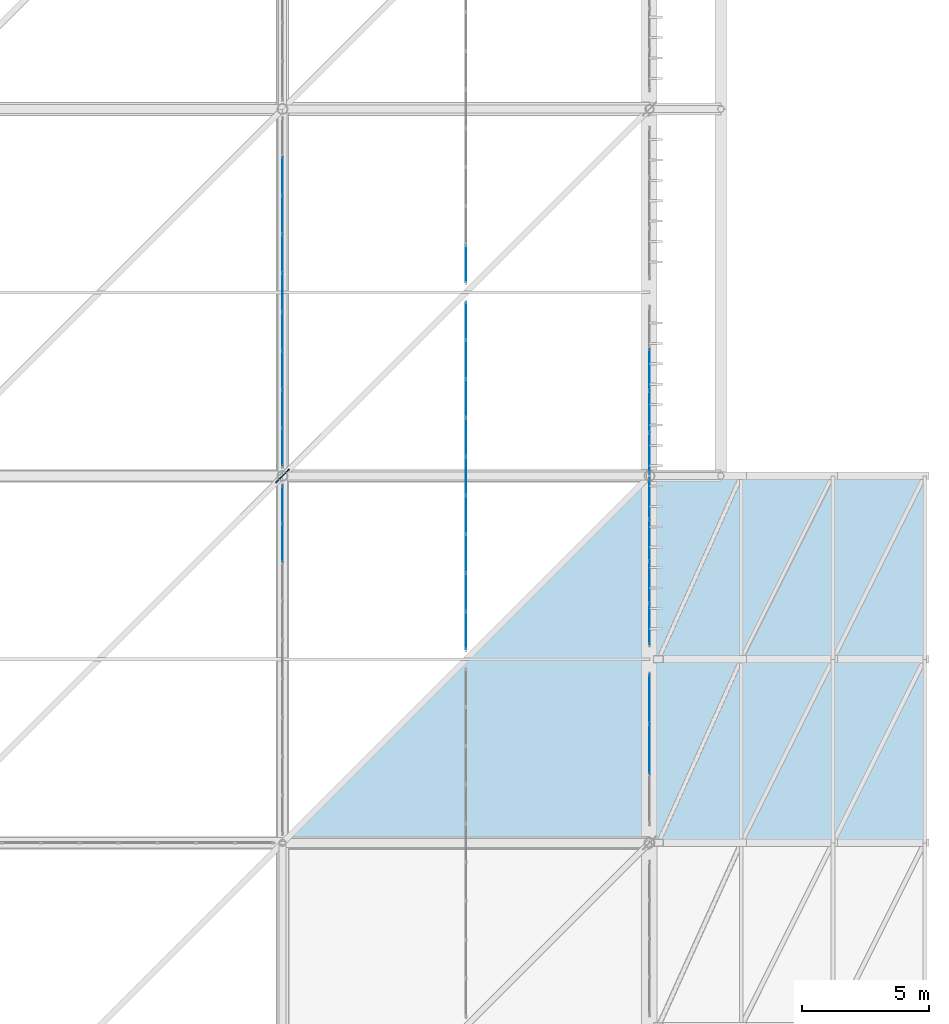
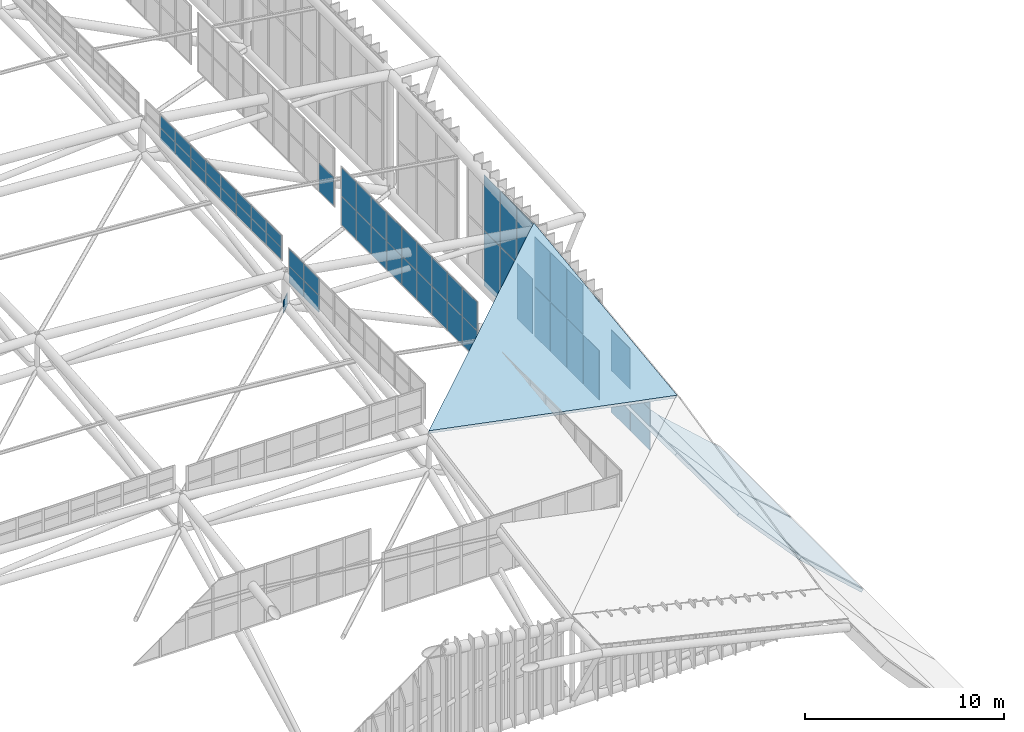
# One storey, part 369 of 397: 58 plates, 7 slabs, 7 elements without a shape of their own.
"""IFC4 building model written with IfcOpenShell, lengths in metres."""

import ifcopenshell
import ifcopenshell.guid

model = None  # the IFC model being written
_history = None  # IfcOwnerHistory: only IFC2X3 demands one
_inside = {}  # id of a spatial element -> (the spatial element, [elements in it])
_under = {}  # id of a project, library or spatial element -> (it, [spatial elements below it])
_declared = {}  # id of a project -> (the project, [libraries it declares])
_typed = {}  # id of a type object -> (the type object, [elements of that type])
_made_of = {}  # id of a material, layer set ... -> (it, [elements and type objects made of it])


def new_model(schema):
    """Start an empty IFC model of exactly this schema.

    Asked for "IFC4X3", IfcOpenShell would pick the latest addendum, in which some entities
    have other attributes; the version numbers below select the first issue.
    IFC2X3 requires an IfcOwnerHistory on every rooted entity: one is made here for all.
    """
    global model, _history
    if schema == "IFC4X3":
        model = ifcopenshell.file(schema_version=(4, 3, 0, 0))
    else:
        model = ifcopenshell.file(schema=schema)
    _inside.clear()
    _under.clear()
    _declared.clear()
    _typed.clear()
    _made_of.clear()
    _history = None
    if model.schema == "IFC2X3":
        org = make("IfcOrganization", Name="unknown")
        user = make(
            "IfcPersonAndOrganization",
            ThePerson=make("IfcPerson", FamilyName="unknown"),
            TheOrganization=org,
        )
        app = make(
            "IfcApplication",
            ApplicationDeveloper=org,
            Version="unknown",
            ApplicationFullName="unknown",
            ApplicationIdentifier="unknown",
        )
        _history = make(
            "IfcOwnerHistory",
            OwningUser=user,
            OwningApplication=app,
            ChangeAction="ADDED",
            CreationDate=0,
        )
    return model


def make(cls, **values):
    """One entity of the class cls with the attributes given. An attribute that is None is left unset."""
    return model.create_entity(
        cls, **{name: value for name, value in values.items() if value is not None}
    )


def rooted(cls, **values):
    """An entity with a GlobalId (a new one), such as an element, a storey or a relation."""
    return make(cls, GlobalId=ifcopenshell.guid.new(), OwnerHistory=_history, **values)


def si_unit(unit_type, name, prefix=None):
    """IfcSIUnit, for example si_unit("LENGTHUNIT", "METRE", prefix="MILLI")."""
    return make("IfcSIUnit", UnitType=unit_type, Prefix=prefix, Name=name)


def assignment(units):
    """IfcUnitAssignment: the units of a project."""
    return None if units is None else make("IfcUnitAssignment", Units=units)


def point(xyz):
    """IfcCartesianPoint."""
    return None if xyz is None else make("IfcCartesianPoint", Coordinates=xyz)


def direction(xyz):
    """IfcDirection."""
    return None if xyz is None else make("IfcDirection", DirectionRatios=xyz)


def frame(location, z_axis=None, x_axis=None):
    """IfcAxis2Placement3D, a coordinate frame: its origin and axes. An axis left out is left unset."""
    return make(
        "IfcAxis2Placement3D",
        Location=point(location),
        Axis=direction(z_axis),
        RefDirection=direction(x_axis),
    )


def frame_2d(location, x_axis=None):
    """IfcAxis2Placement2D, a coordinate frame in the plane: its origin and x axis."""
    return make(
        "IfcAxis2Placement2D", Location=point(location), RefDirection=direction(x_axis)
    )


def origin():
    """The frame at (0, 0, 0) with its axes left unset."""
    return frame((0.0, 0.0, 0.0))


def origin_2d():
    """The frame at (0, 0) in the plane with its x axis left unset."""
    return frame_2d((0.0, 0.0))


def place(relative_to, where):
    """IfcLocalPlacement: puts the frame where relative to a parent placement (None: the world)."""
    return make(
        "IfcLocalPlacement", PlacementRelTo=relative_to, RelativePlacement=where
    )


def context(
    kind, dimensions, precision=None, world=None, true_north=None, identifier=None
):
    """IfcGeometricRepresentationContext, for example the 3D "Model" context."""
    return make(
        "IfcGeometricRepresentationContext",
        ContextIdentifier=identifier,
        ContextType=kind,
        CoordinateSpaceDimension=dimensions,
        Precision=precision,
        WorldCoordinateSystem=world,
        TrueNorth=true_north,
    )


def subcontext(parent, identifier, kind, view, scale=None):
    """IfcGeometricRepresentationSubContext, for example "Body" below "Model"."""
    return make(
        "IfcGeometricRepresentationSubContext",
        ContextIdentifier=identifier,
        ContextType=kind,
        ParentContext=parent,
        TargetScale=scale,
        TargetView=view,
    )


def project(units=None, contexts=None):
    """IfcProject with its units and contexts."""
    return rooted(
        "IfcProject",
        Name="project",
        RepresentationContexts=contexts,
        UnitsInContext=assignment(units),
    )


def spatial(cls, under=None, at=None, **own):
    """A site, building, storey or space (cls), placed at a placement, below another one or the project."""
    s = rooted(cls, ObjectPlacement=at, **own)
    if under is not None:
        _under.setdefault(under.id(), (under, []))[1].append(s)
    return s


def polyline(points):
    """IfcPolyline through the points."""
    return make("IfcPolyline", Points=[point(p) for p in points])


def profile(cls, at=None, kind="AREA", **sizes):
    """A parametric profile (cls). Its sizes go by their IFC names, for example OverallWidth=200.0."""
    return make(cls, ProfileType=kind, Position=at, **sizes)


def rectangle(**sizes):
    """IfcRectangleProfileDef."""
    return profile("IfcRectangleProfileDef", **sizes)


def outline(outer, holes=None, kind="AREA"):
    """IfcArbitraryClosedProfileDef: a profile drawn as a closed curve; with holes, ...WithVoids."""
    if holes is None:
        return make("IfcArbitraryClosedProfileDef", ProfileType=kind, OuterCurve=outer)
    return make(
        "IfcArbitraryProfileDefWithVoids",
        ProfileType=kind,
        OuterCurve=outer,
        InnerCurves=holes,
    )


def extrude(swept, where, along, depth):
    """IfcExtrudedAreaSolid: the profile swept, set in the frame where, extruded along a direction by depth."""
    return make(
        "IfcExtrudedAreaSolid",
        SweptArea=swept,
        Position=where,
        ExtrudedDirection=direction(along),
        Depth=depth,
    )


def shape(context_of_items, identifier, shape_type, items):
    """IfcShapeRepresentation: the items that make up one representation, for example the "Body"."""
    return make(
        "IfcShapeRepresentation",
        ContextOfItems=context_of_items,
        RepresentationIdentifier=identifier,
        RepresentationType=shape_type,
        Items=items,
    )


def material(Name=None, Category=None):
    """IfcMaterial."""
    return make("IfcMaterial", Name=Name, Category=Category)


def layer(
    of_material, thickness, ventilated=None, Name=None, Category=None, Priority=None
):
    """IfcMaterialLayer: one layer of a wall or slab, of a material (None: an air gap)."""
    return make(
        "IfcMaterialLayer",
        Material=of_material,
        LayerThickness=thickness,
        IsVentilated=ventilated,
        Name=Name,
        Category=Category,
        Priority=Priority,
    )


def layer_set(layers, Name=None):
    """IfcMaterialLayerSet."""
    return make("IfcMaterialLayerSet", MaterialLayers=layers, LayerSetName=Name)


def made_of(thing, what):
    """Note that an element or type object is made of a material, layer set ...; save() writes the relation."""
    if what is not None:
        _made_of.setdefault(what.id(), (what, []))[1].append(thing)
    return thing


def type_object(cls, material=None, **own):
    """A type object (cls), such as IfcWallType, which elements share."""
    return made_of(rooted(cls, **own), material)


def element(
    cls,
    number,
    at=None,
    inside=None,
    cuts=None,
    type_object=None,
    material=None,
    context=None,
    identifier="Body",
    shape_type=None,
    held_by="IfcProductDefinitionShape",
    body=None,
    shapes=None,
    **own,
):
    """One element of the class cls, such as IfcWall. Its Tag is "e" and its number.

    at: its placement. inside: the storey or other place that contains it. cuts: it is an
    opening in that element (IfcRelVoidsElement). A single representation is given by context,
    identifier, shape_type and body (its items); several are given by shapes. held_by: the class
    of the entity that holds the representations. save() writes the other relations.
    """
    e = rooted(cls, Tag="e%d" % number, ObjectPlacement=at, **own)
    if body is not None:
        shapes = [shape(context, identifier, shape_type, body)]
    if shapes is not None:
        e.Representation = make(held_by, Representations=shapes)
    if inside is not None:
        _inside.setdefault(inside.id(), (inside, []))[1].append(e)
    if cuts is not None:
        rooted(
            "IfcRelVoidsElement", RelatingBuildingElement=cuts, RelatedOpeningElement=e
        )
    if type_object is not None:
        _typed.setdefault(type_object.id(), (type_object, []))[1].append(e)
    return made_of(e, material)


def aggregate(whole, parts):
    """IfcRelAggregates: a whole, such as a stair, and the parts it consists of."""
    return rooted("IfcRelAggregates", RelatingObject=whole, RelatedObjects=parts)


def save(model, path):
    """Write the relations noted so far, then the file.

    IfcRelAggregates (storeys below a building ...), IfcRelContainedInSpatialStructure (elements
    in a storey), IfcRelDefinesByType, IfcRelAssociatesMaterial and IfcRelDeclares: one each for
    every whole, place, type object, material and project.
    """
    for whole, parts in _under.values():
        aggregate(whole, parts)
    for where, things in _inside.values():
        rooted(
            "IfcRelContainedInSpatialStructure",
            RelatedElements=things,
            RelatingStructure=where,
        )
    for kind, things in _typed.values():
        rooted("IfcRelDefinesByType", RelatedObjects=things, RelatingType=kind)
    for what, things in _made_of.values():
        rooted("IfcRelAssociatesMaterial", RelatedObjects=things, RelatingMaterial=what)
    for by, libraries in _declared.values():
        rooted("IfcRelDeclares", RelatingContext=by, RelatedDefinitions=libraries)
    model.write(path)


model = new_model("IFC4")

# Units and contexts
model_context = context("Model", 3, precision=1e-05, world=origin(), true_north=direction((0.0, 1.0)))
body_context = subcontext(model_context, "Body", "Model", "MODEL_VIEW")
ifc_project = project(units=[si_unit("LENGTHUNIT", "METRE"), si_unit("AREAUNIT", "SQUARE_METRE"), si_unit("VOLUMEUNIT", "CUBIC_METRE"), si_unit("PLANEANGLEUNIT", "RADIAN"), si_unit("MASSUNIT", "GRAM", prefix="KILO")], contexts=[model_context])

# Site, building, storey
site_placement = place(None, origin())
site = spatial("IfcSite", under=ifc_project, at=site_placement, CompositionType="ELEMENT")
building_placement = place(site_placement, origin())
building = spatial("IfcBuilding", under=site, at=building_placement, Name="Qandorah Velis Arena", CompositionType="ELEMENT")
storey_placement = place(building_placement, frame((0.0, 0.0, 27.5)))
storey = spatial("IfcBuildingStorey", under=building, at=storey_placement, Name="RF", CompositionType="ELEMENT", Elevation=27.5)

# Curtain wall, plates
ifc_material_1 = material(Name="Solar-control low-E double glazing", Category="glass")
curtain_wall_type_1 = type_object("IfcCurtainWallType", Name="ARC-CW-SYS14", PredefinedType="USERDEFINED", material=ifc_material_1)
curtain_wall_1_placement = place(storey_placement, origin())
curtain_wall_1 = element("IfcCurtainWall", 1, at=curtain_wall_1_placement, inside=storey, type_object=curtain_wall_type_1, Name="Unitised curtain wall MON-2-2", ObjectType="UNITISED CURTAIN WALL", PredefinedType="USERDEFINED")
ifc_layer_1 = layer(ifc_material_1, 0.030029296875)
ifc_layer_set_1 = layer_set([ifc_layer_1], Name="Solar-control low-E double glazing")
plate_type_1 = type_object("IfcPlateType", Name="ARC-CWP-GLZ30", PredefinedType="CURTAIN_PANEL", material=ifc_layer_set_1)
plate_1_placement = place(storey_placement, frame((108.0, 37.124755859375, 5.1943359375), z_axis=(0.0, 0.0, 1.0), x_axis=(0.0, 1.0, 0.0)))
plate_1 = element("IfcPlate", 2, at=plate_1_placement, type_object=plate_type_1, Name="CW14 panel 1.1", PredefinedType="CURTAIN_PANEL", context=body_context, shape_type="SweptSolid", body=[
    extrude(rectangle(XDim=1.459716796875, YDim=0.030029296875, at=origin_2d()), origin(), (0.0, 0.0, 1.0), 1.737548828125),
])
plate_2_placement = place(storey_placement, frame((108.0, 37.124755859375, 6.966796875), z_axis=(0.0, 0.0, 1.0), x_axis=(0.0, 1.0, 0.0)))
plate_2 = element("IfcPlate", 3, at=plate_2_placement, type_object=plate_type_1, Name="CW14 panel 1.2", PredefinedType="CURTAIN_PANEL", context=body_context, shape_type="SweptSolid", body=[
    extrude(rectangle(XDim=1.459716796875, YDim=0.030029296875, at=origin_2d()), origin(), (0.0, 0.0, 1.0), 1.737548828125),
])
plate_3_placement = place(storey_placement, frame((108.0, 38.63330078125, 5.1943359375), z_axis=(0.0, 0.0, 1.0), x_axis=(0.0, 1.0, 0.0)))
plate_3 = element("IfcPlate", 4, at=plate_3_placement, type_object=plate_type_1, Name="CW14 panel 2.1", PredefinedType="CURTAIN_PANEL", context=body_context, shape_type="SweptSolid", body=[
    extrude(rectangle(XDim=1.4873046875, YDim=0.030029296875, at=origin_2d()), origin(), (0.0, 0.0, 1.0), 1.737548828125),
])
plate_4_placement = place(storey_placement, frame((108.0, 38.63330078125, 6.966796875), z_axis=(0.0, 0.0, 1.0), x_axis=(0.0, 1.0, 0.0)))
plate_4 = element("IfcPlate", 5, at=plate_4_placement, type_object=plate_type_1, Name="CW14 panel 2.2", PredefinedType="CURTAIN_PANEL", context=body_context, shape_type="SweptSolid", body=[
    extrude(rectangle(XDim=1.4873046875, YDim=0.030029296875, at=origin_2d()), origin(), (0.0, 0.0, 1.0), 1.737548828125),
])
plate_5_placement = place(storey_placement, frame((108.0, 40.155517578125, 5.1943359375), z_axis=(0.0, 0.0, 1.0), x_axis=(0.0, 1.0, 0.0)))
plate_5 = element("IfcPlate", 6, at=plate_5_placement, type_object=plate_type_1, Name="CW14 panel 3.1", PredefinedType="CURTAIN_PANEL", context=body_context, shape_type="SweptSolid", body=[
    extrude(rectangle(XDim=1.4873046875, YDim=0.030029296875, at=origin_2d()), origin(), (0.0, 0.0, 1.0), 1.737548828125),
])
plate_6_placement = place(storey_placement, frame((108.0, 40.155517578125, 6.966796875), z_axis=(0.0, 0.0, 1.0), x_axis=(0.0, 1.0, 0.0)))
plate_6 = element("IfcPlate", 7, at=plate_6_placement, type_object=plate_type_1, Name="CW14 panel 3.2", PredefinedType="CURTAIN_PANEL", context=body_context, shape_type="SweptSolid", body=[
    extrude(rectangle(XDim=1.4873046875, YDim=0.030029296875, at=origin_2d()), origin(), (0.0, 0.0, 1.0), 1.737548828125),
])
plate_7_placement = place(storey_placement, frame((108.0, 41.677734375, 5.1943359375), z_axis=(0.0, 0.0, 1.0), x_axis=(0.0, 1.0, 0.0)))
plate_7 = element("IfcPlate", 8, at=plate_7_placement, type_object=plate_type_1, Name="CW14 panel 4.1", PredefinedType="CURTAIN_PANEL", context=body_context, shape_type="SweptSolid", body=[
    extrude(rectangle(XDim=1.4873046875, YDim=0.030029296875, at=origin_2d()), origin(), (0.0, 0.0, 1.0), 1.737548828125),
])
plate_8_placement = place(storey_placement, frame((108.0, 41.677734375, 6.966796875), z_axis=(0.0, 0.0, 1.0), x_axis=(0.0, 1.0, 0.0)))
plate_8 = element("IfcPlate", 9, at=plate_8_placement, type_object=plate_type_1, Name="CW14 panel 4.2", PredefinedType="CURTAIN_PANEL", context=body_context, shape_type="SweptSolid", body=[
    extrude(rectangle(XDim=1.4873046875, YDim=0.030029296875, at=origin_2d()), origin(), (0.0, 0.0, 1.0), 1.737548828125),
])
plate_9_placement = place(storey_placement, frame((108.0, 43.199951171875, 5.1943359375), z_axis=(0.0, 0.0, 1.0), x_axis=(0.0, 1.0, 0.0)))
plate_9 = element("IfcPlate", 10, at=plate_9_placement, type_object=plate_type_1, Name="CW14 panel 5.1", PredefinedType="CURTAIN_PANEL", context=body_context, shape_type="SweptSolid", body=[
    extrude(rectangle(XDim=1.4873046875, YDim=0.030029296875, at=origin_2d()), origin(), (0.0, 0.0, 1.0), 1.737548828125),
])
plate_10_placement = place(storey_placement, frame((108.0, 43.199951171875, 6.966796875), z_axis=(0.0, 0.0, 1.0), x_axis=(0.0, 1.0, 0.0)))
plate_10 = element("IfcPlate", 11, at=plate_10_placement, type_object=plate_type_1, Name="CW14 panel 5.2", PredefinedType="CURTAIN_PANEL", context=body_context, shape_type="SweptSolid", body=[
    extrude(rectangle(XDim=1.4873046875, YDim=0.030029296875, at=origin_2d()), origin(), (0.0, 0.0, 1.0), 1.737548828125),
])
plate_11_placement = place(storey_placement, frame((108.0, 44.72216796875, 5.1943359375), z_axis=(0.0, 0.0, 1.0), x_axis=(0.0, 1.0, 0.0)))
plate_11 = element("IfcPlate", 12, at=plate_11_placement, type_object=plate_type_1, Name="CW14 panel 6.1", PredefinedType="CURTAIN_PANEL", context=body_context, shape_type="SweptSolid", body=[
    extrude(rectangle(XDim=1.4873046875, YDim=0.030029296875, at=origin_2d()), origin(), (0.0, 0.0, 1.0), 1.737548828125),
])
plate_12_placement = place(storey_placement, frame((108.0, 44.72216796875, 6.966796875), z_axis=(0.0, 0.0, 1.0), x_axis=(0.0, 1.0, 0.0)))
plate_12 = element("IfcPlate", 13, at=plate_12_placement, type_object=plate_type_1, Name="CW14 panel 6.2", PredefinedType="CURTAIN_PANEL", context=body_context, shape_type="SweptSolid", body=[
    extrude(rectangle(XDim=1.4873046875, YDim=0.030029296875, at=origin_2d()), origin(), (0.0, 0.0, 1.0), 1.737548828125),
])
plate_13_placement = place(storey_placement, frame((108.0, 46.244384765625, 5.1943359375), z_axis=(0.0, 0.0, 1.0), x_axis=(0.0, 1.0, 0.0)))
plate_13 = element("IfcPlate", 14, at=plate_13_placement, type_object=plate_type_1, Name="CW14 panel 7.1", PredefinedType="CURTAIN_PANEL", context=body_context, shape_type="SweptSolid", body=[
    extrude(rectangle(XDim=1.4873046875, YDim=0.030029296875, at=origin_2d()), origin(), (0.0, 0.0, 1.0), 1.737548828125),
])
plate_14_placement = place(storey_placement, frame((108.0, 46.244384765625, 6.966796875), z_axis=(0.0, 0.0, 1.0), x_axis=(0.0, 1.0, 0.0)))
plate_14 = element("IfcPlate", 15, at=plate_14_placement, type_object=plate_type_1, Name="CW14 panel 7.2", PredefinedType="CURTAIN_PANEL", context=body_context, shape_type="SweptSolid", body=[
    extrude(rectangle(XDim=1.4873046875, YDim=0.030029296875, at=origin_2d()), origin(), (0.0, 0.0, 1.0), 1.737548828125),
])
plate_15_placement = place(storey_placement, frame((108.0, 47.7666015625, 5.1943359375), z_axis=(0.0, 0.0, 1.0), x_axis=(0.0, 1.0, 0.0)))
plate_15 = element("IfcPlate", 16, at=plate_15_placement, type_object=plate_type_1, Name="CW14 panel 8.1", PredefinedType="CURTAIN_PANEL", context=body_context, shape_type="SweptSolid", body=[
    extrude(rectangle(XDim=1.4873046875, YDim=0.030029296875, at=origin_2d()), origin(), (0.0, 0.0, 1.0), 1.737548828125),
])
plate_16_placement = place(storey_placement, frame((108.0, 47.7666015625, 6.966796875), z_axis=(0.0, 0.0, 1.0), x_axis=(0.0, 1.0, 0.0)))
plate_16 = element("IfcPlate", 17, at=plate_16_placement, type_object=plate_type_1, Name="CW14 panel 8.2", PredefinedType="CURTAIN_PANEL", context=body_context, shape_type="SweptSolid", body=[
    extrude(rectangle(XDim=1.4873046875, YDim=0.030029296875, at=origin_2d()), origin(), (0.0, 0.0, 1.0), 1.737548828125),
])
plate_17_placement = place(storey_placement, frame((108.0, 49.275146484375, 5.1943359375), z_axis=(0.0, 0.0, 1.0), x_axis=(0.0, 1.0, 0.0)))
plate_17 = element("IfcPlate", 18, at=plate_17_placement, type_object=plate_type_1, Name="CW14 panel 9.1", PredefinedType="CURTAIN_PANEL", context=body_context, shape_type="SweptSolid", body=[
    extrude(rectangle(XDim=1.459716796875, YDim=0.030029296875, at=origin_2d()), origin(), (0.0, 0.0, 1.0), 1.737548828125),
])
plate_18_placement = place(storey_placement, frame((108.0, 49.275146484375, 6.966796875), z_axis=(0.0, 0.0, 1.0), x_axis=(0.0, 1.0, 0.0)))
plate_18 = element("IfcPlate", 19, at=plate_18_placement, type_object=plate_type_1, Name="CW14 panel 9.2", PredefinedType="CURTAIN_PANEL", context=body_context, shape_type="SweptSolid", body=[
    extrude(rectangle(XDim=1.459716796875, YDim=0.030029296875, at=origin_2d()), origin(), (0.0, 0.0, 1.0), 1.737548828125),
])
aggregate(curtain_wall_1, [plate_1, plate_2, plate_3, plate_4, plate_5, plate_6, plate_7, plate_8, plate_9, plate_10, plate_11, plate_12, plate_13, plate_14, plate_15, plate_16, plate_17, plate_18])

# Curtain wall, plate
curtain_wall_type_2 = type_object("IfcCurtainWallType", Name="ARC-CW-SYS15", PredefinedType="USERDEFINED", material=ifc_material_1)
curtain_wall_2_placement = place(storey_placement, origin())
curtain_wall_2 = element("IfcCurtainWall", 20, at=curtain_wall_2_placement, inside=storey, type_object=curtain_wall_type_2, Name="Unitised curtain wall MON-2-3", ObjectType="UNITISED CURTAIN WALL", PredefinedType="USERDEFINED")
plate_19_placement = place(storey_placement, frame((108.0, 51.52490234375, 5.89013671875), z_axis=(0.0, 0.0, 1.0), x_axis=(0.0, 1.0, 0.0)))
plate_19 = element("IfcPlate", 21, at=plate_19_placement, type_object=plate_type_1, Name="CW15 panel 1.1", PredefinedType="CURTAIN_PANEL", context=body_context, shape_type="SweptSolid", body=[
    extrude(rectangle(XDim=1.459716796875, YDim=0.030029296875, at=origin_2d()), origin(), (0.0, 0.0, 1.0), 1.737548828125),
])
aggregate(curtain_wall_2, [plate_19])

# Curtain wall, plates
curtain_wall_type_3 = type_object("IfcCurtainWallType", Name="ARC-CW-SYS11", PredefinedType="USERDEFINED", material=ifc_material_1)
curtain_wall_3_placement = place(storey_placement, origin())
curtain_wall_3 = element("IfcCurtainWall", 22, at=curtain_wall_3_placement, inside=storey, type_object=curtain_wall_type_3, Name="Unitised curtain wall OCULUS-2-1", ObjectType="UNITISED CURTAIN WALL", PredefinedType="USERDEFINED")
plate_20_placement = place(storey_placement, frame((100.800048828125, 40.566650390625, 8.53125), z_axis=(0.0, 0.0, 1.0), x_axis=(0.0, 1.0, 0.0)))
plate_20 = element("IfcPlate", 23, at=plate_20_placement, type_object=plate_type_1, Name="CW11 panel 8.1", PredefinedType="CURTAIN_PANEL", context=body_context, shape_type="SweptSolid", body=[
    extrude(rectangle(XDim=1.4873046875, YDim=0.030029296875, at=origin_2d()), origin(), (0.0, 0.0, 1.0), 1.012451171875),
])
plate_21_placement = place(storey_placement, frame((100.800048828125, 40.566650390625, 9.57861328125), z_axis=(0.0, 0.0, 1.0), x_axis=(0.0, 1.0, 0.0)))
plate_21 = element("IfcPlate", 24, at=plate_21_placement, type_object=plate_type_1, Name="CW11 panel 8.2", PredefinedType="CURTAIN_PANEL", context=body_context, shape_type="SweptSolid", body=[
    extrude(rectangle(XDim=1.4873046875, YDim=0.030029296875, at=origin_2d()), origin(), (0.0, 0.0, 1.0), 1.012451171875),
])
plate_22_placement = place(storey_placement, frame((100.800048828125, 42.0751953125, 8.53125), z_axis=(0.0, 0.0, 1.0), x_axis=(0.0, 1.0, 0.0)))
plate_22 = element("IfcPlate", 25, at=plate_22_placement, type_object=plate_type_1, Name="CW11 panel 9.1", PredefinedType="CURTAIN_PANEL", context=body_context, shape_type="SweptSolid", body=[
    extrude(rectangle(XDim=1.459716796875, YDim=0.030029296875, at=origin_2d()), origin(), (0.0, 0.0, 1.0), 1.012451171875),
])
plate_23_placement = place(storey_placement, frame((100.800048828125, 42.0751953125, 9.57861328125), z_axis=(0.0, 0.0, 1.0), x_axis=(0.0, 1.0, 0.0)))
plate_23 = element("IfcPlate", 26, at=plate_23_placement, type_object=plate_type_1, Name="CW11 panel 9.2", PredefinedType="CURTAIN_PANEL", context=body_context, shape_type="SweptSolid", body=[
    extrude(rectangle(XDim=1.459716796875, YDim=0.030029296875, at=origin_2d()), origin(), (0.0, 0.0, 1.0), 1.012451171875),
])
aggregate(curtain_wall_3, [plate_20, plate_21, plate_22, plate_23])

curtain_wall_type_4 = type_object("IfcCurtainWallType", Name="ARC-CW-SYS12", PredefinedType="USERDEFINED", material=ifc_material_1)
curtain_wall_4_placement = place(storey_placement, origin())
curtain_wall_4 = element("IfcCurtainWall", 27, at=curtain_wall_4_placement, inside=storey, type_object=curtain_wall_type_4, Name="Unitised curtain wall OCULUS-2-2", ObjectType="UNITISED CURTAIN WALL", PredefinedType="USERDEFINED")
plate_24_placement = place(storey_placement, frame((100.800048828125, 44.324951171875, 9.47265625), z_axis=(0.0, 0.0, 1.0), x_axis=(0.0, 1.0, 0.0)))
plate_24 = element("IfcPlate", 28, at=plate_24_placement, type_object=plate_type_1, Name="CW12 panel 1.1", PredefinedType="CURTAIN_PANEL", context=body_context, shape_type="SweptSolid", body=[
    extrude(rectangle(XDim=1.459716796875, YDim=0.030029296875, at=origin_2d()), origin(), (0.0, 0.0, 1.0), 0.723876953125),
])
plate_25_placement = place(storey_placement, frame((100.800048828125, 44.324951171875, 10.2314453125), z_axis=(0.0, 0.0, 1.0), x_axis=(0.0, 1.0, 0.0)))
plate_25 = element("IfcPlate", 29, at=plate_25_placement, type_object=plate_type_1, Name="CW12 panel 1.2", PredefinedType="CURTAIN_PANEL", context=body_context, shape_type="SweptSolid", body=[
    extrude(rectangle(XDim=1.459716796875, YDim=0.030029296875, at=origin_2d()), origin(), (0.0, 0.0, 1.0), 0.7236328125),
])
plate_26_placement = place(storey_placement, frame((100.800048828125, 45.833251953125, 9.47265625), z_axis=(0.0, 0.0, 1.0), x_axis=(0.0, 1.0, 0.0)))
plate_26 = element("IfcPlate", 30, at=plate_26_placement, type_object=plate_type_1, Name="CW12 panel 2.1", PredefinedType="CURTAIN_PANEL", context=body_context, shape_type="SweptSolid", body=[
    extrude(rectangle(XDim=1.4873046875, YDim=0.030029296875, at=origin_2d()), origin(), (0.0, 0.0, 1.0), 0.723876953125),
])
plate_27_placement = place(storey_placement, frame((100.800048828125, 45.833251953125, 10.2314453125), z_axis=(0.0, 0.0, 1.0), x_axis=(0.0, 1.0, 0.0)))
plate_27 = element("IfcPlate", 31, at=plate_27_placement, type_object=plate_type_1, Name="CW12 panel 2.2", PredefinedType="CURTAIN_PANEL", context=body_context, shape_type="SweptSolid", body=[
    extrude(rectangle(XDim=1.4873046875, YDim=0.030029296875, at=origin_2d()), origin(), (0.0, 0.0, 1.0), 0.7236328125),
])
plate_28_placement = place(storey_placement, frame((100.800048828125, 47.35546875, 9.47265625), z_axis=(0.0, 0.0, 1.0), x_axis=(0.0, 1.0, 0.0)))
plate_28 = element("IfcPlate", 32, at=plate_28_placement, type_object=plate_type_1, Name="CW12 panel 3.1", PredefinedType="CURTAIN_PANEL", context=body_context, shape_type="SweptSolid", body=[
    extrude(rectangle(XDim=1.4873046875, YDim=0.030029296875, at=origin_2d()), origin(), (0.0, 0.0, 1.0), 0.723876953125),
])
plate_29_placement = place(storey_placement, frame((100.800048828125, 47.35546875, 10.2314453125), z_axis=(0.0, 0.0, 1.0), x_axis=(0.0, 1.0, 0.0)))
plate_29 = element("IfcPlate", 33, at=plate_29_placement, type_object=plate_type_1, Name="CW12 panel 3.2", PredefinedType="CURTAIN_PANEL", context=body_context, shape_type="SweptSolid", body=[
    extrude(rectangle(XDim=1.4873046875, YDim=0.030029296875, at=origin_2d()), origin(), (0.0, 0.0, 1.0), 0.7236328125),
])
plate_30_placement = place(storey_placement, frame((100.800048828125, 48.877685546875, 9.47265625), z_axis=(0.0, 0.0, 1.0), x_axis=(0.0, 1.0, 0.0)))
plate_30 = element("IfcPlate", 34, at=plate_30_placement, type_object=plate_type_1, Name="CW12 panel 4.1", PredefinedType="CURTAIN_PANEL", context=body_context, shape_type="SweptSolid", body=[
    extrude(rectangle(XDim=1.4873046875, YDim=0.030029296875, at=origin_2d()), origin(), (0.0, 0.0, 1.0), 0.723876953125),
])
plate_31_placement = place(storey_placement, frame((100.800048828125, 48.877685546875, 10.2314453125), z_axis=(0.0, 0.0, 1.0), x_axis=(0.0, 1.0, 0.0)))
plate_31 = element("IfcPlate", 35, at=plate_31_placement, type_object=plate_type_1, Name="CW12 panel 4.2", PredefinedType="CURTAIN_PANEL", context=body_context, shape_type="SweptSolid", body=[
    extrude(rectangle(XDim=1.4873046875, YDim=0.030029296875, at=origin_2d()), origin(), (0.0, 0.0, 1.0), 0.7236328125),
])
plate_32_placement = place(storey_placement, frame((100.800048828125, 50.39990234375, 9.47265625), z_axis=(0.0, 0.0, 1.0), x_axis=(0.0, 1.0, 0.0)))
plate_32 = element("IfcPlate", 36, at=plate_32_placement, type_object=plate_type_1, Name="CW12 panel 5.1", PredefinedType="CURTAIN_PANEL", context=body_context, shape_type="SweptSolid", body=[
    extrude(rectangle(XDim=1.4873046875, YDim=0.030029296875, at=origin_2d()), origin(), (0.0, 0.0, 1.0), 0.723876953125),
])
plate_33_placement = place(storey_placement, frame((100.800048828125, 50.39990234375, 10.2314453125), z_axis=(0.0, 0.0, 1.0), x_axis=(0.0, 1.0, 0.0)))
plate_33 = element("IfcPlate", 37, at=plate_33_placement, type_object=plate_type_1, Name="CW12 panel 5.2", PredefinedType="CURTAIN_PANEL", context=body_context, shape_type="SweptSolid", body=[
    extrude(rectangle(XDim=1.4873046875, YDim=0.030029296875, at=origin_2d()), origin(), (0.0, 0.0, 1.0), 0.7236328125),
])
plate_34_placement = place(storey_placement, frame((100.800048828125, 51.922119140625, 9.47265625), z_axis=(0.0, 0.0, 1.0), x_axis=(0.0, 1.0, 0.0)))
plate_34 = element("IfcPlate", 38, at=plate_34_placement, type_object=plate_type_1, Name="CW12 panel 6.1", PredefinedType="CURTAIN_PANEL", context=body_context, shape_type="SweptSolid", body=[
    extrude(rectangle(XDim=1.4873046875, YDim=0.030029296875, at=origin_2d()), origin(), (0.0, 0.0, 1.0), 0.723876953125),
])
plate_35_placement = place(storey_placement, frame((100.800048828125, 51.922119140625, 10.2314453125), z_axis=(0.0, 0.0, 1.0), x_axis=(0.0, 1.0, 0.0)))
plate_35 = element("IfcPlate", 39, at=plate_35_placement, type_object=plate_type_1, Name="CW12 panel 6.2", PredefinedType="CURTAIN_PANEL", context=body_context, shape_type="SweptSolid", body=[
    extrude(rectangle(XDim=1.4873046875, YDim=0.030029296875, at=origin_2d()), origin(), (0.0, 0.0, 1.0), 0.7236328125),
])
plate_36_placement = place(storey_placement, frame((100.800048828125, 53.4443359375, 9.47265625), z_axis=(0.0, 0.0, 1.0), x_axis=(0.0, 1.0, 0.0)))
plate_36 = element("IfcPlate", 40, at=plate_36_placement, type_object=plate_type_1, Name="CW12 panel 7.1", PredefinedType="CURTAIN_PANEL", context=body_context, shape_type="SweptSolid", body=[
    extrude(rectangle(XDim=1.4873046875, YDim=0.030029296875, at=origin_2d()), origin(), (0.0, 0.0, 1.0), 0.723876953125),
])
plate_37_placement = place(storey_placement, frame((100.800048828125, 53.4443359375, 10.2314453125), z_axis=(0.0, 0.0, 1.0), x_axis=(0.0, 1.0, 0.0)))
plate_37 = element("IfcPlate", 41, at=plate_37_placement, type_object=plate_type_1, Name="CW12 panel 7.2", PredefinedType="CURTAIN_PANEL", context=body_context, shape_type="SweptSolid", body=[
    extrude(rectangle(XDim=1.4873046875, YDim=0.030029296875, at=origin_2d()), origin(), (0.0, 0.0, 1.0), 0.7236328125),
])
plate_38_placement = place(storey_placement, frame((100.800048828125, 54.966552734375, 9.47265625), z_axis=(0.0, 0.0, 1.0), x_axis=(0.0, 1.0, 0.0)))
plate_38 = element("IfcPlate", 42, at=plate_38_placement, type_object=plate_type_1, Name="CW12 panel 8.1", PredefinedType="CURTAIN_PANEL", context=body_context, shape_type="SweptSolid", body=[
    extrude(rectangle(XDim=1.4873046875, YDim=0.030029296875, at=origin_2d()), origin(), (0.0, 0.0, 1.0), 0.723876953125),
])
plate_39_placement = place(storey_placement, frame((100.800048828125, 54.966552734375, 10.2314453125), z_axis=(0.0, 0.0, 1.0), x_axis=(0.0, 1.0, 0.0)))
plate_39 = element("IfcPlate", 43, at=plate_39_placement, type_object=plate_type_1, Name="CW12 panel 8.2", PredefinedType="CURTAIN_PANEL", context=body_context, shape_type="SweptSolid", body=[
    extrude(rectangle(XDim=1.4873046875, YDim=0.030029296875, at=origin_2d()), origin(), (0.0, 0.0, 1.0), 0.7236328125),
])
aggregate(curtain_wall_4, [plate_24, plate_25, plate_26, plate_27, plate_28, plate_29, plate_30, plate_31, plate_32, plate_33, plate_34, plate_35, plate_36, plate_37, plate_38, plate_39])

curtain_wall_type_5 = type_object("IfcCurtainWallType", Name="ARC-CW-SYS10", PredefinedType="USERDEFINED", material=ifc_material_1)
curtain_wall_5_placement = place(storey_placement, origin())
curtain_wall_5 = element("IfcCurtainWall", 44, at=curtain_wall_5_placement, inside=storey, type_object=curtain_wall_type_5, Name="Unitised curtain wall CROWN-2-02S1", ObjectType="UNITISED CURTAIN WALL", PredefinedType="USERDEFINED")
ifc_layer_2 = layer(ifc_material_1, 0.035888671875)
ifc_layer_set_2 = layer_set([ifc_layer_2], Name="Solar-control low-E double glazing")
plate_type_2 = type_object("IfcPlateType", Name="ARC-CWP-GLZ36", PredefinedType="CURTAIN_PANEL", material=ifc_layer_set_2)
plate_40_placement = place(storey_placement, frame((115.199951171875, 32.487548828125, 0.0498046875), z_axis=(0.0, 0.0, 1.0), x_axis=(0.0, 1.0, 0.0)))
plate_40 = element("IfcPlate", 45, at=plate_40_placement, type_object=plate_type_2, Name="CW10 panel 2.1", PredefinedType="CURTAIN_PANEL", context=body_context, shape_type="SweptSolid", body=[
    extrude(rectangle(XDim=1.93505859375, YDim=0.035888671875, at=origin_2d()), origin(), (0.0, 0.0, 1.0), 2.505615234375),
])
plate_41_placement = place(storey_placement, frame((115.199951171875, 32.487548828125, 2.595703125), z_axis=(0.0, 0.0, 1.0), x_axis=(0.0, 1.0, 0.0)))
plate_41 = element("IfcPlate", 46, at=plate_41_placement, type_object=plate_type_2, Name="CW10 panel 2.2", PredefinedType="CURTAIN_PANEL", context=body_context, shape_type="SweptSolid", body=[
    extrude(rectangle(XDim=1.93505859375, YDim=0.035888671875, at=origin_2d()), origin(), (0.0, 0.0, 1.0), 2.505615234375),
])
plate_42_placement = place(storey_placement, frame((115.199951171875, 34.447509765625, 0.0498046875), z_axis=(0.0, 0.0, 1.0), x_axis=(0.0, 1.0, 0.0)))
plate_42 = element("IfcPlate", 47, at=plate_42_placement, type_object=plate_type_2, Name="CW10 panel 3.1", PredefinedType="CURTAIN_PANEL", context=body_context, shape_type="SweptSolid", body=[
    extrude(rectangle(XDim=1.905029296875, YDim=0.035888671875, at=origin_2d()), origin(), (0.0, 0.0, 1.0), 2.505615234375),
])
plate_43_placement = place(storey_placement, frame((115.199951171875, 34.447509765625, 2.595703125), z_axis=(0.0, 0.0, 1.0), x_axis=(0.0, 1.0, 0.0)))
plate_43 = element("IfcPlate", 48, at=plate_43_placement, type_object=plate_type_2, Name="CW10 panel 3.2", PredefinedType="CURTAIN_PANEL", context=body_context, shape_type="SweptSolid", body=[
    extrude(rectangle(XDim=1.905029296875, YDim=0.035888671875, at=origin_2d()), origin(), (0.0, 0.0, 1.0), 2.505615234375),
])
aggregate(curtain_wall_5, [plate_40, plate_41, plate_42, plate_43])

curtain_wall_6_placement = place(storey_placement, origin())
curtain_wall_6 = element("IfcCurtainWall", 49, at=curtain_wall_6_placement, inside=storey, type_object=curtain_wall_type_3, Name="Unitised curtain wall CROWN-2-03S1", ObjectType="UNITISED CURTAIN WALL", PredefinedType="USERDEFINED")
plate_44_placement = place(storey_placement, frame((115.199951171875, 37.391357421875, 0.0498046875), z_axis=(0.0, 0.0, 1.0), x_axis=(0.0, 1.0, 0.0)))
plate_44 = element("IfcPlate", 50, at=plate_44_placement, type_object=plate_type_2, Name="CW11 panel 1.1", PredefinedType="CURTAIN_PANEL", context=body_context, shape_type="SweptSolid", body=[
    extrude(rectangle(XDim=1.58251953125, YDim=0.035888671875, at=origin_2d()), origin(), (0.0, 0.0, 1.0), 3.026611328125),
])
plate_45_placement = place(storey_placement, frame((115.199951171875, 37.391357421875, 3.11669921875), z_axis=(0.0, 0.0, 1.0), x_axis=(0.0, 1.0, 0.0)))
plate_45 = element("IfcPlate", 51, at=plate_45_placement, type_object=plate_type_2, Name="CW11 panel 1.2", PredefinedType="CURTAIN_PANEL", context=body_context, shape_type="SweptSolid", body=[
    extrude(rectangle(XDim=1.58251953125, YDim=0.035888671875, at=origin_2d()), origin(), (0.0, 0.0, 1.0), 3.026611328125),
])
plate_46_placement = place(storey_placement, frame((115.199951171875, 39.02880859375, 0.0498046875), z_axis=(0.0, 0.0, 1.0), x_axis=(0.0, 1.0, 0.0)))
plate_46 = element("IfcPlate", 52, at=plate_46_placement, type_object=plate_type_2, Name="CW11 panel 2.1", PredefinedType="CURTAIN_PANEL", context=body_context, shape_type="SweptSolid", body=[
    extrude(rectangle(XDim=1.612548828125, YDim=0.035888671875, at=origin_2d()), origin(), (0.0, 0.0, 1.0), 3.026611328125),
])
plate_47_placement = place(storey_placement, frame((115.199951171875, 39.02880859375, 3.11669921875), z_axis=(0.0, 0.0, 1.0), x_axis=(0.0, 1.0, 0.0)))
plate_47 = element("IfcPlate", 53, at=plate_47_placement, type_object=plate_type_2, Name="CW11 panel 2.2", PredefinedType="CURTAIN_PANEL", context=body_context, shape_type="SweptSolid", body=[
    extrude(rectangle(XDim=1.612548828125, YDim=0.035888671875, at=origin_2d()), origin(), (0.0, 0.0, 1.0), 3.026611328125),
])
plate_48_placement = place(storey_placement, frame((115.199951171875, 40.68115234375, 0.0498046875), z_axis=(0.0, 0.0, 1.0), x_axis=(0.0, 1.0, 0.0)))
plate_48 = element("IfcPlate", 54, at=plate_48_placement, type_object=plate_type_2, Name="CW11 panel 3.1", PredefinedType="CURTAIN_PANEL", context=body_context, shape_type="SweptSolid", body=[
    extrude(rectangle(XDim=1.612548828125, YDim=0.035888671875, at=origin_2d()), origin(), (0.0, 0.0, 1.0), 3.026611328125),
])
plate_49_placement = place(storey_placement, frame((115.199951171875, 40.68115234375, 3.11669921875), z_axis=(0.0, 0.0, 1.0), x_axis=(0.0, 1.0, 0.0)))
plate_49 = element("IfcPlate", 55, at=plate_49_placement, type_object=plate_type_2, Name="CW11 panel 3.2", PredefinedType="CURTAIN_PANEL", context=body_context, shape_type="SweptSolid", body=[
    extrude(rectangle(XDim=1.612548828125, YDim=0.035888671875, at=origin_2d()), origin(), (0.0, 0.0, 1.0), 3.026611328125),
])
plate_50_placement = place(storey_placement, frame((115.199951171875, 42.31884765625, 0.0498046875), z_axis=(0.0, 0.0, 1.0), x_axis=(0.0, 1.0, 0.0)))
plate_50 = element("IfcPlate", 56, at=plate_50_placement, type_object=plate_type_2, Name="CW11 panel 4.1", PredefinedType="CURTAIN_PANEL", context=body_context, shape_type="SweptSolid", body=[
    extrude(rectangle(XDim=1.58251953125, YDim=0.035888671875, at=origin_2d()), origin(), (0.0, 0.0, 1.0), 3.026611328125),
])
plate_51_placement = place(storey_placement, frame((115.199951171875, 42.31884765625, 3.11669921875), z_axis=(0.0, 0.0, 1.0), x_axis=(0.0, 1.0, 0.0)))
plate_51 = element("IfcPlate", 57, at=plate_51_placement, type_object=plate_type_2, Name="CW11 panel 4.2", PredefinedType="CURTAIN_PANEL", context=body_context, shape_type="SweptSolid", body=[
    extrude(rectangle(XDim=1.58251953125, YDim=0.035888671875, at=origin_2d()), origin(), (0.0, 0.0, 1.0), 3.026611328125),
])
aggregate(curtain_wall_6, [plate_44, plate_45, plate_46, plate_47, plate_48, plate_49, plate_50, plate_51])

curtain_wall_7_placement = place(storey_placement, origin())
curtain_wall_7 = element("IfcCurtainWall", 58, at=curtain_wall_7_placement, inside=storey, type_object=curtain_wall_type_4, Name="Unitised curtain wall CROWN-2-03S2", ObjectType="UNITISED CURTAIN WALL", PredefinedType="USERDEFINED")
plate_52_placement = place(storey_placement, frame((115.199951171875, 44.081298828125, 0.050048828125), z_axis=(0.0, 0.0, 1.0), x_axis=(0.0, 1.0, 0.0)))
plate_52 = element("IfcPlate", 59, at=plate_52_placement, type_object=plate_type_2, Name="CW12 panel 1.1", PredefinedType="CURTAIN_PANEL", context=body_context, shape_type="SweptSolid", body=[
    extrude(rectangle(XDim=1.58251953125, YDim=0.035888671875, at=origin_2d()), origin(), (0.0, 0.0, 1.0), 3.380859375),
])
plate_53_placement = place(storey_placement, frame((115.199951171875, 44.081298828125, 3.470703125), z_axis=(0.0, 0.0, 1.0), x_axis=(0.0, 1.0, 0.0)))
plate_53 = element("IfcPlate", 60, at=plate_53_placement, type_object=plate_type_2, Name="CW12 panel 1.2", PredefinedType="CURTAIN_PANEL", context=body_context, shape_type="SweptSolid", body=[
    extrude(rectangle(XDim=1.58251953125, YDim=0.035888671875, at=origin_2d()), origin(), (0.0, 0.0, 1.0), 3.381103515625),
])
plate_54_placement = place(storey_placement, frame((115.199951171875, 45.71875, 0.050048828125), z_axis=(0.0, 0.0, 1.0), x_axis=(0.0, 1.0, 0.0)))
plate_54 = element("IfcPlate", 61, at=plate_54_placement, type_object=plate_type_2, Name="CW12 panel 2.1", PredefinedType="CURTAIN_PANEL", context=body_context, shape_type="SweptSolid", body=[
    extrude(rectangle(XDim=1.612548828125, YDim=0.035888671875, at=origin_2d()), origin(), (0.0, 0.0, 1.0), 3.380859375),
])
plate_55_placement = place(storey_placement, frame((115.199951171875, 45.71875, 3.470703125), z_axis=(0.0, 0.0, 1.0), x_axis=(0.0, 1.0, 0.0)))
plate_55 = element("IfcPlate", 62, at=plate_55_placement, type_object=plate_type_2, Name="CW12 panel 2.2", PredefinedType="CURTAIN_PANEL", context=body_context, shape_type="SweptSolid", body=[
    extrude(rectangle(XDim=1.612548828125, YDim=0.035888671875, at=origin_2d()), origin(), (0.0, 0.0, 1.0), 3.381103515625),
])
plate_56_placement = place(storey_placement, frame((115.199951171875, 47.371337890625, 0.050048828125), z_axis=(0.0, 0.0, 1.0), x_axis=(0.0, 1.0, 0.0)))
plate_56 = element("IfcPlate", 63, at=plate_56_placement, type_object=plate_type_2, Name="CW12 panel 3.1", PredefinedType="CURTAIN_PANEL", context=body_context, shape_type="SweptSolid", body=[
    extrude(rectangle(XDim=1.612548828125, YDim=0.035888671875, at=origin_2d()), origin(), (0.0, 0.0, 1.0), 3.380859375),
])
plate_57_placement = place(storey_placement, frame((115.199951171875, 47.371337890625, 3.470703125), z_axis=(0.0, 0.0, 1.0), x_axis=(0.0, 1.0, 0.0)))
plate_57 = element("IfcPlate", 64, at=plate_57_placement, type_object=plate_type_2, Name="CW12 panel 3.2", PredefinedType="CURTAIN_PANEL", context=body_context, shape_type="SweptSolid", body=[
    extrude(rectangle(XDim=1.612548828125, YDim=0.035888671875, at=origin_2d()), origin(), (0.0, 0.0, 1.0), 3.381103515625),
])
aggregate(curtain_wall_7, [plate_52, plate_53, plate_54, plate_55, plate_56, plate_57])

# Plate
ifc_material_2 = material(Name="Steel S355", Category="steel")
ifc_layer_3 = layer(ifc_material_2, 0.0400390625)
ifc_layer_set_3 = layer_set([ifc_layer_3], Name="Steel S355")
plate_type_3 = type_object("IfcPlateType", Name="STR-PLT-GUS40", PredefinedType="SHEET", material=ifc_layer_set_3)
plate_58_placement = place(storey_placement, frame((100.800048828125, 43.199951171875, 6.6826171875), z_axis=(0.0, 0.0, 1.0), x_axis=(0.707106781187, 0.707106781187, 0.0)))
element("IfcPlate", 65, at=plate_58_placement, inside=storey, type_object=plate_type_3, Name="Space frame gusset plate 6.2", PredefinedType="SHEET", context=body_context, shape_type="SweptSolid", body=[
    extrude(rectangle(XDim=0.75, YDim=0.0400390625, at=origin_2d()), origin(), (0.0, 0.0, 1.0), 0.75),
])

# Slabs
ifc_material_3 = material(Name="Concrete C40/50", Category="concrete")
ifc_layer_4 = layer(ifc_material_3, 0.179931640625)
ifc_layer_set_4 = layer_set([ifc_layer_4], Name="Concrete C40/50")
slab_type = type_object("IfcSlabType", Name="STR-SLB-RF180", PredefinedType="ROOF", material=ifc_layer_set_4)
slab_1_placement = place(storey_placement, frame((100.800048828125, 28.800048828125, 7.9404296875), z_axis=(0.193111373811, -0.124368147006, 0.973262842872), x_axis=(0.980878241005, 0.0, -0.194622394196)))
element("IfcSlab", 66, at=slab_1_placement, inside=storey, type_object=slab_type, Name="Arena space-frame roof deck panel 6.1A", PredefinedType="ROOF", context=body_context, shape_type="SweptSolid", body=[
    extrude(outline(polyline([(0.0, 0.0), (14.68062165289144, 0.0), (14.32249934208648, 14.512575903858874), (0.0, 0.0)])), origin(), (0.0, 0.0, -1.0), 0.179931640625),
])
slab_2_placement = place(storey_placement, frame((115.199951171875, 28.800048828125, 1.5400390625), z_axis=(0.808241926345, 0.0, 0.588850565508), x_axis=(0.588850565508, 0.0, -0.808241926345)))
element("IfcSlab", 67, at=slab_2_placement, inside=storey, type_object=slab_type, Name="Sweeping entrance canopy deck 3.01", PredefinedType="ROOF", context=body_context, shape_type="SweptSolid", body=[
    extrude(outline(polyline([(0.0, 0.0), (6.113771247117102, 0.0), (6.113771247117102, 7.199951171875), (0.0, 7.199951171875), (0.0, 0.0)])), origin(), (0.0, 0.0, -1.0), 0.179931640625),
])
slab_3_placement = place(storey_placement, frame((118.800048828125, 28.800048828125, -3.4013671875), z_axis=(0.739288789578, 0.0, 0.673388510151), x_axis=(0.673388510151, 0.0, -0.739288789578)))
element("IfcSlab", 68, at=slab_3_placement, inside=storey, type_object=slab_type, Name="Sweeping entrance canopy deck 3.02", PredefinedType="ROOF", context=body_context, shape_type="SweptSolid", body=[
    extrude(outline(polyline([(0.0, 0.0), (5.345879030242957, 0.0), (5.345879030242957, 7.199951171875002), (0.0, 7.199951171875002), (0.0, 0.0)])), origin(), (0.0, 0.0, -1.0), 0.179931640625),
])
slab_4_placement = place(storey_placement, frame((122.39990234375, 28.800048828125, -7.353515625), z_axis=(0.6704256924, 0.0, 0.741976678185), x_axis=(0.741976678185, 0.0, -0.6704256924)))
element("IfcSlab", 69, at=slab_4_placement, inside=storey, type_object=slab_type, Name="Sweeping entrance canopy deck 3.03", PredefinedType="ROOF", context=body_context, shape_type="SweptSolid", body=[
    extrude(outline(polyline([(0.0, 0.0), (4.852036138195551, 0.0), (4.852036138195551, 7.199951171875), (0.0, 7.199951171875), (0.0, 0.0)])), origin(), (0.0, 0.0, -1.0), 0.179931640625),
])
slab_5_placement = place(storey_placement, frame((115.199951171875, 36.0, 1.5400390625), z_axis=(0.808241926345, 0.0, 0.588850565508), x_axis=(0.588850565508, 0.0, -0.808241926345)))
element("IfcSlab", 70, at=slab_5_placement, inside=storey, type_object=slab_type, Name="Sweeping entrance canopy deck 4.01", PredefinedType="ROOF", context=body_context, shape_type="SweptSolid", body=[
    extrude(outline(polyline([(0.0, 0.0), (6.113771247117102, 0.0), (6.113771247117102, 7.199951171875), (0.0, 7.199951171875), (0.0, 0.0)])), origin(), (0.0, 0.0, -1.0), 0.179931640625),
])
slab_6_placement = place(storey_placement, frame((118.800048828125, 36.0, -3.4013671875), z_axis=(0.739288789578, 0.0, 0.673388510151), x_axis=(0.673388510151, 0.0, -0.739288789578)))
element("IfcSlab", 71, at=slab_6_placement, inside=storey, type_object=slab_type, Name="Sweeping entrance canopy deck 4.02", PredefinedType="ROOF", context=body_context, shape_type="SweptSolid", body=[
    extrude(outline(polyline([(0.0, 0.0), (5.345879030242957, 0.0), (5.345879030242957, 7.199951171875002), (0.0, 7.199951171875002), (0.0, 0.0)])), origin(), (0.0, 0.0, -1.0), 0.179931640625),
])
slab_7_placement = place(storey_placement, frame((122.39990234375, 36.0, -7.353515625), z_axis=(0.6704256924, 0.0, 0.741976678185), x_axis=(0.741976678185, 0.0, -0.6704256924)))
element("IfcSlab", 72, at=slab_7_placement, inside=storey, type_object=slab_type, Name="Sweeping entrance canopy deck 4.03", PredefinedType="ROOF", context=body_context, shape_type="SweptSolid", body=[
    extrude(outline(polyline([(0.0, 0.0), (4.852036138195551, 0.0), (4.852036138195551, 7.199951171875), (0.0, 7.199951171875), (0.0, 0.0)])), origin(), (0.0, 0.0, -1.0), 0.179931640625),
])

save(model, "model.ifc")
